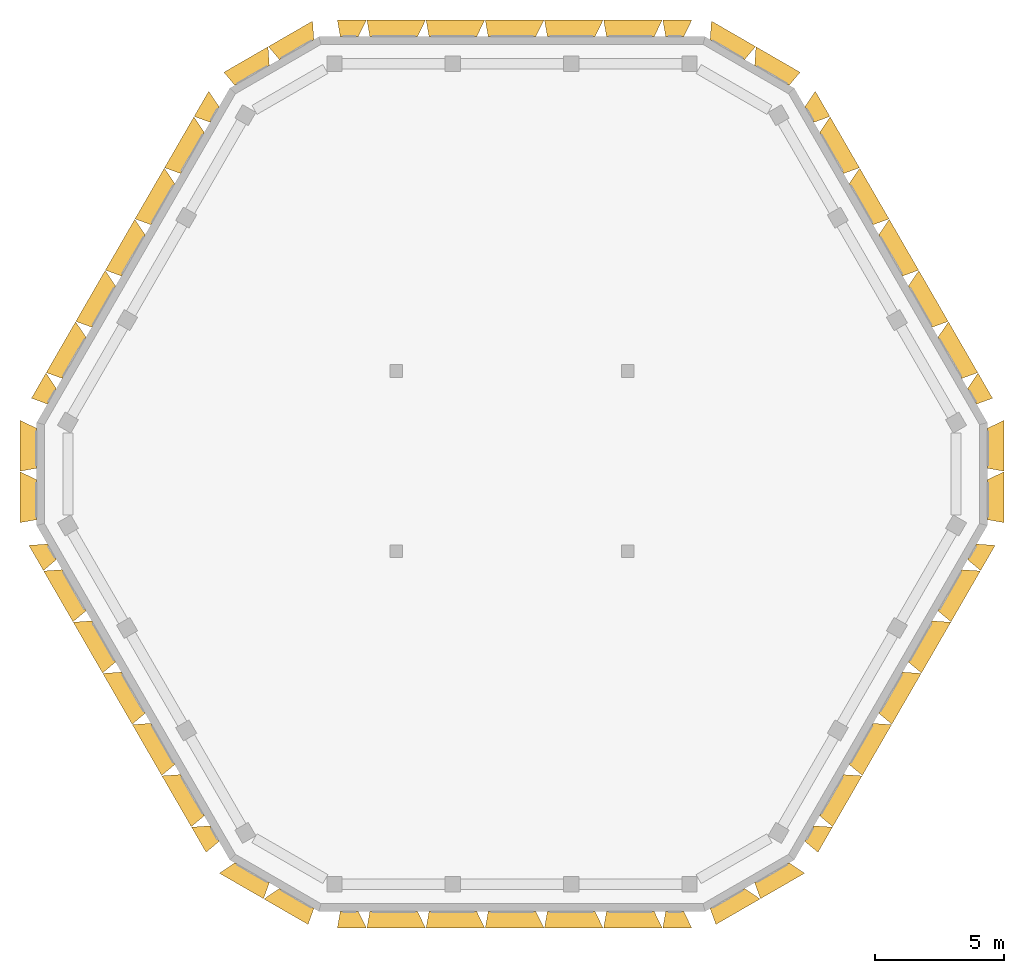
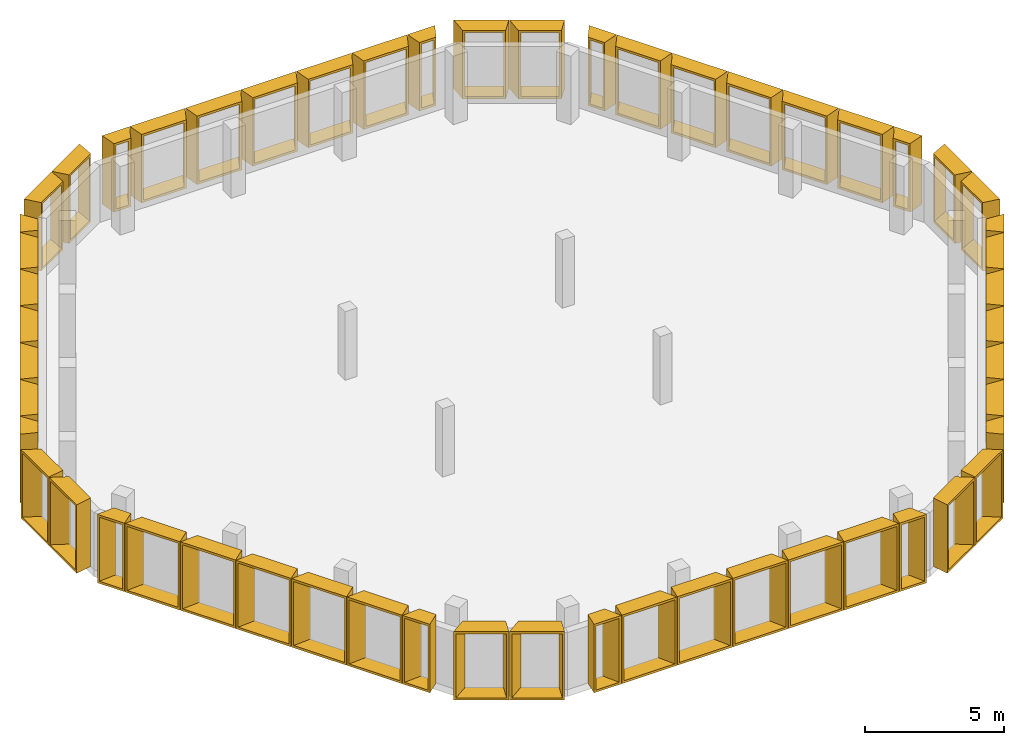
# One storey, part 3 of 3: 54 shading devices.
"""IFC4 building model written with IfcOpenShell, lengths in metres."""

from ifc_helpers import new_model, entity, si_unit, direction, frame, origin, place, context, subcontext, project, spatial, source, transform, mapped, material, type_object, type_shapes, element, save


model = new_model("IFC4")

# Units and contexts
model_context = context("Model", 3, precision=1e-05, world=origin(), true_north=direction((0.0, 1.0)))
body_context = subcontext(model_context, "Body", "Model", "MODEL_VIEW")
ifc_project = project(units=[si_unit("LENGTHUNIT", "METRE"), si_unit("AREAUNIT", "SQUARE_METRE"), si_unit("VOLUMEUNIT", "CUBIC_METRE"), si_unit("PLANEANGLEUNIT", "RADIAN"), si_unit("MASSUNIT", "GRAM", prefix="KILO")], contexts=[model_context])

# Site, building, storey
site_placement = place(None, origin())
site = spatial("IfcSite", under=ifc_project, at=site_placement, CompositionType="ELEMENT")
building_placement = place(site_placement, origin())
building = spatial("IfcBuilding", under=site, at=building_placement, Name="Beryl Residences", CompositionType="ELEMENT")
storey_placement = place(building_placement, frame((0.0, 0.0, 247.800048828125)))
storey = spatial("IfcBuildingStorey", under=building, at=storey_placement, Name="L77", CompositionType="ELEMENT", Elevation=247.800048828125)

# Shading devices
ifc_material_1 = material(Name="Aluminium pale anodised", Category="aluminium")
shading_device_type_1 = type_object("IfcShadingDeviceType", Name="FR115-65B OUTER SKIN frame 650 mm deep, splay 26/10 deg, 1150 x 3000 mm cell", PredefinedType="USERDEFINED", material=ifc_material_1)
cartesian_point_1 = entity("IfcCartesianPoint", [-0.34912109375, 0.0])
cartesian_point_2 = entity("IfcCartesianPoint", [-0.260009765625, 0.10009765625])
cartesian_point_3 = entity("IfcCartesianPoint", [-0.666015625, 0.0])
cartesian_point_4 = entity("IfcCartesianPoint", [-0.576904296875, 0.10009765625])
shared_shape_1 = source(origin(), body_context, "Body", "SweptSolid", [
    entity("IfcExtrudedAreaSolidTapered", entity("IfcArbitraryProfileDefWithVoids", "AREA", None, entity("IfcPolyline", [cartesian_point_1, entity("IfcCartesianPoint", [0.34912109375, 0.0]), entity("IfcCartesianPoint", [0.34912109375, 3.0]), entity("IfcCartesianPoint", [-0.34912109375, 3.0]), cartesian_point_1]), [entity("IfcPolyline", [cartesian_point_2, entity("IfcCartesianPoint", [0.267822265625, 0.10009765625]), entity("IfcCartesianPoint", [0.267822265625, 2.89990234375]), entity("IfcCartesianPoint", [-0.260009765625, 2.89990234375]), cartesian_point_2])]), entity("IfcAxis2Placement3D", entity("IfcCartesianPoint", [0.0, 0.0, 0.0]), entity("IfcDirection", [0.0, 1.0, 0.0]), entity("IfcDirection", [-1.0, 0.0, 0.0])), entity("IfcDirection", [0.0, 0.0, 1.0]), 0.64990234375, entity("IfcArbitraryProfileDefWithVoids", "AREA", None, entity("IfcPolyline", [cartesian_point_3, entity("IfcCartesianPoint", [0.463623046875, 0.0]), entity("IfcCartesianPoint", [0.463623046875, 3.0]), entity("IfcCartesianPoint", [-0.666015625, 3.0]), cartesian_point_3]), [entity("IfcPolyline", [cartesian_point_4, entity("IfcCartesianPoint", [0.38232421875, 0.10009765625]), entity("IfcCartesianPoint", [0.38232421875, 2.89990234375]), entity("IfcCartesianPoint", [-0.576904296875, 2.89990234375]), cartesian_point_4])])),
])
type_shapes(shading_device_type_1, [shared_shape_1])
for number, where, z_axis, x_axis, name in (
    (1, (6.324951171875, 17.0, 0.0), (0.0, 0.0, 1.0), (1.0, 0.0, 0.0), "FR115-65B frame L77 N 1"),
    (2, (-6.324951171875, 17.0, 0.0), (0.0, 0.0, 1.0), (1.0, 0.0, 0.0), "FR115-65B frame L77 N 7"),
    (3, (-11.56103515625, 13.97705078125, 0.0), (0.0, 0.0, 1.0), (0.5, 0.866025403784, 0.0), "FR115-65B frame L77 NW 1"),
    (4, (-17.885009765625, 3.02392578125, 0.0), (0.0, 0.0, 1.0), (0.5, 0.866025403784, 0.0), "FR115-65B frame L77 NW 7"),
    (5, (-17.885009765625, -3.02294921875, 0.0), (0.0, 0.0, 1.0), (-0.5, 0.866025403784, 0.0), "FR115-65B frame L77 SW 1"),
    (6, (-11.56103515625, -13.97607421875, 0.0), (0.0, 0.0, 1.0), (-0.5, 0.866025403784, 0.0), "FR115-65B frame L77 SW 7"),
):
    element("IfcShadingDevice", number, at=place(storey_placement, frame(where, z_axis=z_axis, x_axis=x_axis)), inside=storey, type_object=shading_device_type_1, Name=name, ObjectType="OUTER SKIN", PredefinedType="USERDEFINED", context=body_context, shape_type="MappedRepresentation", body=[
        mapped(shared_shape_1, transform((0.0, 0.0, 0.0))),
    ])
ifc_material_2 = material(Name="Aluminium pale anodised", Category="aluminium")
shading_device_type_2 = type_object("IfcShadingDeviceType", Name="FR115-65C OUTER SKIN frame 650 mm deep, splay 10/26 deg, 1150 x 3000 mm cell", PredefinedType="USERDEFINED", material=ifc_material_2)
cartesian_point_5 = entity("IfcCartesianPoint", [-0.34912109375, 0.0])
cartesian_point_6 = entity("IfcCartesianPoint", [-0.267822265625, 0.10009765625])
cartesian_point_7 = entity("IfcCartesianPoint", [-0.463623046875, 0.0])
cartesian_point_8 = entity("IfcCartesianPoint", [-0.38232421875, 0.10009765625])
shared_shape_2 = source(origin(), body_context, "Body", "SweptSolid", [
    entity("IfcExtrudedAreaSolidTapered", entity("IfcArbitraryProfileDefWithVoids", "AREA", None, entity("IfcPolyline", [cartesian_point_5, entity("IfcCartesianPoint", [0.34912109375, 0.0]), entity("IfcCartesianPoint", [0.34912109375, 3.0]), entity("IfcCartesianPoint", [-0.34912109375, 3.0]), cartesian_point_5]), [entity("IfcPolyline", [cartesian_point_6, entity("IfcCartesianPoint", [0.260009765625, 0.10009765625]), entity("IfcCartesianPoint", [0.260009765625, 2.89990234375]), entity("IfcCartesianPoint", [-0.267822265625, 2.89990234375]), cartesian_point_6])]), entity("IfcAxis2Placement3D", entity("IfcCartesianPoint", [0.0, 0.0, 0.0]), entity("IfcDirection", [0.0, 1.0, 0.0]), entity("IfcDirection", [-1.0, 0.0, 0.0])), entity("IfcDirection", [0.0, 0.0, 1.0]), 0.64990234375, entity("IfcArbitraryProfileDefWithVoids", "AREA", None, entity("IfcPolyline", [cartesian_point_7, entity("IfcCartesianPoint", [0.666015625, 0.0]), entity("IfcCartesianPoint", [0.666015625, 3.0]), entity("IfcCartesianPoint", [-0.463623046875, 3.0]), cartesian_point_7]), [entity("IfcPolyline", [cartesian_point_8, entity("IfcCartesianPoint", [0.576904296875, 0.10009765625]), entity("IfcCartesianPoint", [0.576904296875, 2.89990234375]), entity("IfcCartesianPoint", [-0.38232421875, 2.89990234375]), cartesian_point_8])])),
])
type_shapes(shading_device_type_2, [shared_shape_2])
for number, where, z_axis, x_axis, name in (
    (7, (-6.324951171875, -17.0, 0.0), (0.0, 0.0, 1.0), (-1.0, 0.0, 0.0), "FR115-65C frame L77 S 1"),
    (8, (6.324951171875, -17.0, 0.0), (0.0, 0.0, 1.0), (-1.0, 0.0, 0.0), "FR115-65C frame L77 S 7"),
    (9, (11.56103515625, -13.97705078125, 0.0), (0.0, 0.0, 1.0), (-0.5, -0.866025403784, 0.0), "FR115-65C frame L77 SE 1"),
    (10, (17.885009765625, -3.02392578125, 0.0), (0.0, 0.0, 1.0), (-0.5, -0.866025403784, 0.0), "FR115-65C frame L77 SE 7"),
    (11, (17.885009765625, 3.02294921875, 0.0), (0.0, 0.0, 1.0), (0.5, -0.866025403784, 0.0), "FR115-65C frame L77 NE 1"),
    (12, (11.56103515625, 13.97607421875, 0.0), (0.0, 0.0, 1.0), (0.5, -0.866025403784, 0.0), "FR115-65C frame L77 NE 7"),
):
    element("IfcShadingDevice", number, at=place(storey_placement, frame(where, z_axis=z_axis, x_axis=x_axis)), inside=storey, type_object=shading_device_type_2, Name=name, ObjectType="OUTER SKIN", PredefinedType="USERDEFINED", context=body_context, shape_type="MappedRepresentation", body=[
        mapped(shared_shape_2, transform((0.0, 0.0, 0.0))),
    ])
ifc_material_3 = material(Name="Aluminium pale anodised", Category="aluminium")
shading_device_type_3 = type_object("IfcShadingDeviceType", Name="FR200-65B OUTER SKIN frame 650 mm deep, splay 26/10 deg, 2000 x 3000 mm cell", PredefinedType="USERDEFINED", material=ifc_material_3)
cartesian_point_9 = entity("IfcCartesianPoint", [-0.77392578125, 0.0])
cartesian_point_10 = entity("IfcCartesianPoint", [-0.68505859375, 0.10009765625])
cartesian_point_11 = entity("IfcCartesianPoint", [-1.091064453125, 0.0])
cartesian_point_12 = entity("IfcCartesianPoint", [-1.001953125, 0.10009765625])
shared_shape_3 = source(origin(), body_context, "Body", "SweptSolid", [
    entity("IfcExtrudedAreaSolidTapered", entity("IfcArbitraryProfileDefWithVoids", "AREA", None, entity("IfcPolyline", [cartesian_point_9, entity("IfcCartesianPoint", [0.77392578125, 0.0]), entity("IfcCartesianPoint", [0.77392578125, 3.0]), entity("IfcCartesianPoint", [-0.77392578125, 3.0]), cartesian_point_9]), [entity("IfcPolyline", [cartesian_point_10, entity("IfcCartesianPoint", [0.69287109375, 0.10009765625]), entity("IfcCartesianPoint", [0.69287109375, 2.89990234375]), entity("IfcCartesianPoint", [-0.68505859375, 2.89990234375]), cartesian_point_10])]), entity("IfcAxis2Placement3D", entity("IfcCartesianPoint", [0.0, 0.0, 0.0]), entity("IfcDirection", [0.0, 1.0, 0.0]), entity("IfcDirection", [-1.0, 0.0, 0.0])), entity("IfcDirection", [0.0, 0.0, 1.0]), 0.64990234375, entity("IfcArbitraryProfileDefWithVoids", "AREA", None, entity("IfcPolyline", [cartesian_point_11, entity("IfcCartesianPoint", [0.888671875, 0.0]), entity("IfcCartesianPoint", [0.888671875, 3.0]), entity("IfcCartesianPoint", [-1.091064453125, 3.0]), cartesian_point_11]), [entity("IfcPolyline", [cartesian_point_12, entity("IfcCartesianPoint", [0.807373046875, 0.10009765625]), entity("IfcCartesianPoint", [0.807373046875, 2.89990234375]), entity("IfcCartesianPoint", [-1.001953125, 2.89990234375]), cartesian_point_12])])),
])
type_shapes(shading_device_type_3, [shared_shape_3])
for number, where, z_axis, x_axis, name in (
    (13, (-8.3720703125, 16.5, 0.0), (0.0, 0.0, 1.0), (0.866025403784, 0.5, 0.0), "FR200-65B frame L77 N-NW 1"),
    (14, (-10.10400390625, 15.5, 0.0), (0.0, 0.0, 1.0), (0.866025403784, 0.5, 0.0), "FR200-65B frame L77 N-NW 2"),
    (15, (-18.47509765625, 1.0, 0.0), (0.0, 0.0, 1.0), (0.0, 1.0, 0.0), "FR200-65B frame L77 NW-SW 1"),
    (16, (-18.47509765625, -1.0, 0.0), (0.0, 0.0, 1.0), (0.0, 1.0, 0.0), "FR200-65B frame L77 NW-SW 2"),
    (17, (-10.10400390625, -15.5, 0.0), (0.0, 0.0, 1.0), (-0.866025403784, 0.5, 0.0), "FR200-65B frame L77 SW-S 1"),
    (18, (-8.3720703125, -16.5, 0.0), (0.0, 0.0, 1.0), (-0.866025403784, 0.5, 0.0), "FR200-65B frame L77 SW-S 2"),
):
    element("IfcShadingDevice", number, at=place(storey_placement, frame(where, z_axis=z_axis, x_axis=x_axis)), inside=storey, type_object=shading_device_type_3, Name=name, ObjectType="OUTER SKIN", PredefinedType="USERDEFINED", context=body_context, shape_type="MappedRepresentation", body=[
        mapped(shared_shape_3, transform((0.0, 0.0, 0.0))),
    ])
ifc_material_4 = material(Name="Aluminium pale anodised", Category="aluminium")
shading_device_type_4 = type_object("IfcShadingDeviceType", Name="FR200-65C OUTER SKIN frame 650 mm deep, splay 10/26 deg, 2000 x 3000 mm cell", PredefinedType="USERDEFINED", material=ifc_material_4)
cartesian_point_13 = entity("IfcCartesianPoint", [-0.77392578125, 0.0])
cartesian_point_14 = entity("IfcCartesianPoint", [-0.69287109375, 0.10009765625])
cartesian_point_15 = entity("IfcCartesianPoint", [-0.888671875, 0.0])
cartesian_point_16 = entity("IfcCartesianPoint", [-0.807373046875, 0.10009765625])
shared_shape_4 = source(origin(), body_context, "Body", "SweptSolid", [
    entity("IfcExtrudedAreaSolidTapered", entity("IfcArbitraryProfileDefWithVoids", "AREA", None, entity("IfcPolyline", [cartesian_point_13, entity("IfcCartesianPoint", [0.77392578125, 0.0]), entity("IfcCartesianPoint", [0.77392578125, 3.0]), entity("IfcCartesianPoint", [-0.77392578125, 3.0]), cartesian_point_13]), [entity("IfcPolyline", [cartesian_point_14, entity("IfcCartesianPoint", [0.68505859375, 0.10009765625]), entity("IfcCartesianPoint", [0.68505859375, 2.89990234375]), entity("IfcCartesianPoint", [-0.69287109375, 2.89990234375]), cartesian_point_14])]), entity("IfcAxis2Placement3D", entity("IfcCartesianPoint", [0.0, 0.0, 0.0]), entity("IfcDirection", [0.0, 1.0, 0.0]), entity("IfcDirection", [-1.0, 0.0, 0.0])), entity("IfcDirection", [0.0, 0.0, 1.0]), 0.64990234375, entity("IfcArbitraryProfileDefWithVoids", "AREA", None, entity("IfcPolyline", [cartesian_point_15, entity("IfcCartesianPoint", [1.091064453125, 0.0]), entity("IfcCartesianPoint", [1.091064453125, 3.0]), entity("IfcCartesianPoint", [-0.888671875, 3.0]), cartesian_point_15]), [entity("IfcPolyline", [cartesian_point_16, entity("IfcCartesianPoint", [1.001953125, 0.10009765625]), entity("IfcCartesianPoint", [1.001953125, 2.89990234375]), entity("IfcCartesianPoint", [-0.807373046875, 2.89990234375]), cartesian_point_16])])),
])
type_shapes(shading_device_type_4, [shared_shape_4])
for number, where, z_axis, x_axis, name in (
    (19, (8.3720703125, -16.5, 0.0), (0.0, 0.0, 1.0), (-0.866025403784, -0.5, 0.0), "FR200-65C frame L77 S-SE 1"),
    (20, (10.10400390625, -15.5, 0.0), (0.0, 0.0, 1.0), (-0.866025403784, -0.5, 0.0), "FR200-65C frame L77 S-SE 2"),
    (21, (18.47509765625, -1.0, 0.0), (0.0, 0.0, 1.0), (0.0, -1.0, 0.0), "FR200-65C frame L77 SE-NE 1"),
    (22, (18.47509765625, 1.0, 0.0), (0.0, 0.0, 1.0), (0.0, -1.0, 0.0), "FR200-65C frame L77 SE-NE 2"),
    (23, (10.10400390625, 15.5, 0.0), (0.0, 0.0, 1.0), (0.866025403784, -0.5, 0.0), "FR200-65C frame L77 NE-N 1"),
    (24, (8.3720703125, 16.5, 0.0), (0.0, 0.0, 1.0), (0.866025403784, -0.5, 0.0), "FR200-65C frame L77 NE-N 2"),
):
    element("IfcShadingDevice", number, at=place(storey_placement, frame(where, z_axis=z_axis, x_axis=x_axis)), inside=storey, type_object=shading_device_type_4, Name=name, ObjectType="OUTER SKIN", PredefinedType="USERDEFINED", context=body_context, shape_type="MappedRepresentation", body=[
        mapped(shared_shape_4, transform((0.0, 0.0, 0.0))),
    ])
ifc_material_5 = material(Name="Aluminium pale anodised", Category="aluminium")
shading_device_type_5 = type_object("IfcShadingDeviceType", Name="FR230-65B OUTER SKIN frame 650 mm deep, splay 26/10 deg, 2300 x 3000 mm cell", PredefinedType="USERDEFINED", material=ifc_material_5)
cartesian_point_17 = entity("IfcCartesianPoint", [-0.924072265625, 0.0])
cartesian_point_18 = entity("IfcCartesianPoint", [-0.8349609375, 0.10009765625])
cartesian_point_19 = entity("IfcCartesianPoint", [-1.240966796875, 0.0])
cartesian_point_20 = entity("IfcCartesianPoint", [-1.152099609375, 0.10009765625])
shared_shape_5 = source(origin(), body_context, "Body", "SweptSolid", [
    entity("IfcExtrudedAreaSolidTapered", entity("IfcArbitraryProfileDefWithVoids", "AREA", None, entity("IfcPolyline", [cartesian_point_17, entity("IfcCartesianPoint", [0.924072265625, 0.0]), entity("IfcCartesianPoint", [0.924072265625, 3.0]), entity("IfcCartesianPoint", [-0.924072265625, 3.0]), cartesian_point_17]), [entity("IfcPolyline", [cartesian_point_18, entity("IfcCartesianPoint", [0.8427734375, 0.10009765625]), entity("IfcCartesianPoint", [0.8427734375, 2.89990234375]), entity("IfcCartesianPoint", [-0.8349609375, 2.89990234375]), cartesian_point_18])]), entity("IfcAxis2Placement3D", entity("IfcCartesianPoint", [0.0, 0.0, 0.0]), entity("IfcDirection", [0.0, 1.0, 0.0]), entity("IfcDirection", [-1.0, 0.0, 0.0])), entity("IfcDirection", [0.0, 0.0, 1.0]), 0.64990234375, entity("IfcArbitraryProfileDefWithVoids", "AREA", None, entity("IfcPolyline", [cartesian_point_19, entity("IfcCartesianPoint", [1.03857421875, 0.0]), entity("IfcCartesianPoint", [1.03857421875, 3.0]), entity("IfcCartesianPoint", [-1.240966796875, 3.0]), cartesian_point_19]), [entity("IfcPolyline", [cartesian_point_20, entity("IfcCartesianPoint", [0.957275390625, 0.10009765625]), entity("IfcCartesianPoint", [0.957275390625, 2.89990234375]), entity("IfcCartesianPoint", [-1.152099609375, 2.89990234375]), cartesian_point_20])])),
])
type_shapes(shading_device_type_5, [shared_shape_5])
for number, where, z_axis, x_axis, name in (
    (25, (4.60009765625, 17.0, 0.0), (0.0, 0.0, 1.0), (1.0, 0.0, 0.0), "FR230-65B frame L77 N 2"),
    (26, (2.300048828125, 17.0, 0.0), (0.0, 0.0, 1.0), (1.0, 0.0, 0.0), "FR230-65B frame L77 N 3"),
    (27, (0.0, 17.0, 0.0), (0.0, 0.0, 1.0), (1.0, 0.0, 0.0), "FR230-65B frame L77 N 4"),
    (28, (-2.300048828125, 17.0, 0.0), (0.0, 0.0, 1.0), (1.0, 0.0, 0.0), "FR230-65B frame L77 N 5"),
    (29, (-4.60009765625, 17.0, 0.0), (0.0, 0.0, 1.0), (1.0, 0.0, 0.0), "FR230-65B frame L77 N 6"),
    (30, (-12.423095703125, 12.48291015625, 0.0), (0.0, 0.0, 1.0), (0.5, 0.866025403784, 0.0), "FR230-65B frame L77 NW 2"),
    (31, (-13.572998046875, 10.491943359375, 0.0), (0.0, 0.0, 1.0), (0.5, 0.866025403784, 0.0), "FR230-65B frame L77 NW 3"),
    (32, (-14.722900390625, 8.5, 0.0), (0.0, 0.0, 1.0), (0.5, 0.866025403784, 0.0), "FR230-65B frame L77 NW 4"),
    (33, (-15.873046875, 6.509033203125, 0.0), (0.0, 0.0, 1.0), (0.5, 0.866025403784, 0.0), "FR230-65B frame L77 NW 5"),
    (34, (-17.02197265625, 4.51806640625, 0.0), (0.0, 0.0, 1.0), (0.5, 0.866025403784, 0.0), "FR230-65B frame L77 NW 6"),
    (35, (-17.02294921875, -4.51708984375, 0.0), (0.0, 0.0, 1.0), (-0.5, 0.866025403784, 0.0), "FR230-65B frame L77 SW 2"),
    (36, (-15.873046875, -6.508056640625, 0.0), (0.0, 0.0, 1.0), (-0.5, 0.866025403784, 0.0), "FR230-65B frame L77 SW 3"),
    (37, (-14.722900390625, -8.5, 0.0), (0.0, 0.0, 1.0), (-0.5, 0.866025403784, 0.0), "FR230-65B frame L77 SW 4"),
    (38, (-13.572998046875, -10.490966796875, 0.0), (0.0, 0.0, 1.0), (-0.5, 0.866025403784, 0.0), "FR230-65B frame L77 SW 5"),
    (39, (-12.424072265625, -12.48193359375, 0.0), (0.0, 0.0, 1.0), (-0.5, 0.866025403784, 0.0), "FR230-65B frame L77 SW 6"),
):
    element("IfcShadingDevice", number, at=place(storey_placement, frame(where, z_axis=z_axis, x_axis=x_axis)), inside=storey, type_object=shading_device_type_5, Name=name, ObjectType="OUTER SKIN", PredefinedType="USERDEFINED", context=body_context, shape_type="MappedRepresentation", body=[
        mapped(shared_shape_5, transform((0.0, 0.0, 0.0))),
    ])
ifc_material_6 = material(Name="Aluminium pale anodised", Category="aluminium")
shading_device_type_6 = type_object("IfcShadingDeviceType", Name="FR230-65C OUTER SKIN frame 650 mm deep, splay 10/26 deg, 2300 x 3000 mm cell", PredefinedType="USERDEFINED", material=ifc_material_6)
cartesian_point_21 = entity("IfcCartesianPoint", [-0.924072265625, 0.0])
cartesian_point_22 = entity("IfcCartesianPoint", [-0.8427734375, 0.10009765625])
cartesian_point_23 = entity("IfcCartesianPoint", [-1.03857421875, 0.0])
cartesian_point_24 = entity("IfcCartesianPoint", [-0.957275390625, 0.10009765625])
shared_shape_6 = source(origin(), body_context, "Body", "SweptSolid", [
    entity("IfcExtrudedAreaSolidTapered", entity("IfcArbitraryProfileDefWithVoids", "AREA", None, entity("IfcPolyline", [cartesian_point_21, entity("IfcCartesianPoint", [0.924072265625, 0.0]), entity("IfcCartesianPoint", [0.924072265625, 3.0]), entity("IfcCartesianPoint", [-0.924072265625, 3.0]), cartesian_point_21]), [entity("IfcPolyline", [cartesian_point_22, entity("IfcCartesianPoint", [0.8349609375, 0.10009765625]), entity("IfcCartesianPoint", [0.8349609375, 2.89990234375]), entity("IfcCartesianPoint", [-0.8427734375, 2.89990234375]), cartesian_point_22])]), entity("IfcAxis2Placement3D", entity("IfcCartesianPoint", [0.0, 0.0, 0.0]), entity("IfcDirection", [0.0, 1.0, 0.0]), entity("IfcDirection", [-1.0, 0.0, 0.0])), entity("IfcDirection", [0.0, 0.0, 1.0]), 0.64990234375, entity("IfcArbitraryProfileDefWithVoids", "AREA", None, entity("IfcPolyline", [cartesian_point_23, entity("IfcCartesianPoint", [1.240966796875, 0.0]), entity("IfcCartesianPoint", [1.240966796875, 3.0]), entity("IfcCartesianPoint", [-1.03857421875, 3.0]), cartesian_point_23]), [entity("IfcPolyline", [cartesian_point_24, entity("IfcCartesianPoint", [1.152099609375, 0.10009765625]), entity("IfcCartesianPoint", [1.152099609375, 2.89990234375]), entity("IfcCartesianPoint", [-0.957275390625, 2.89990234375]), cartesian_point_24])])),
])
type_shapes(shading_device_type_6, [shared_shape_6])
for number, where, z_axis, x_axis, name in (
    (40, (-4.60009765625, -17.0, 0.0), (0.0, 0.0, 1.0), (-1.0, 0.0, 0.0), "FR230-65C frame L77 S 2"),
    (41, (-2.300048828125, -17.0, 0.0), (0.0, 0.0, 1.0), (-1.0, 0.0, 0.0), "FR230-65C frame L77 S 3"),
    (42, (0.0, -17.0, 0.0), (0.0, 0.0, 1.0), (-1.0, 0.0, 0.0), "FR230-65C frame L77 S 4"),
    (43, (2.300048828125, -17.0, 0.0), (0.0, 0.0, 1.0), (-1.0, 0.0, 0.0), "FR230-65C frame L77 S 5"),
    (44, (4.60009765625, -17.0, 0.0), (0.0, 0.0, 1.0), (-1.0, 0.0, 0.0), "FR230-65C frame L77 S 6"),
    (45, (12.423095703125, -12.48291015625, 0.0), (0.0, 0.0, 1.0), (-0.5, -0.866025403784, 0.0), "FR230-65C frame L77 SE 2"),
    (46, (13.572998046875, -10.491943359375, 0.0), (0.0, 0.0, 1.0), (-0.5, -0.866025403784, 0.0), "FR230-65C frame L77 SE 3"),
    (47, (14.722900390625, -8.5, 0.0), (0.0, 0.0, 1.0), (-0.5, -0.866025403784, 0.0), "FR230-65C frame L77 SE 4"),
    (48, (15.873046875, -6.509033203125, 0.0), (0.0, 0.0, 1.0), (-0.5, -0.866025403784, 0.0), "FR230-65C frame L77 SE 5"),
    (49, (17.02197265625, -4.51806640625, 0.0), (0.0, 0.0, 1.0), (-0.5, -0.866025403784, 0.0), "FR230-65C frame L77 SE 6"),
    (50, (17.02294921875, 4.51708984375, 0.0), (0.0, 0.0, 1.0), (0.5, -0.866025403784, 0.0), "FR230-65C frame L77 NE 2"),
    (51, (15.873046875, 6.508056640625, 0.0), (0.0, 0.0, 1.0), (0.5, -0.866025403784, 0.0), "FR230-65C frame L77 NE 3"),
    (52, (14.722900390625, 8.5, 0.0), (0.0, 0.0, 1.0), (0.5, -0.866025403784, 0.0), "FR230-65C frame L77 NE 4"),
    (53, (13.572998046875, 10.490966796875, 0.0), (0.0, 0.0, 1.0), (0.5, -0.866025403784, 0.0), "FR230-65C frame L77 NE 5"),
    (54, (12.424072265625, 12.48193359375, 0.0), (0.0, 0.0, 1.0), (0.5, -0.866025403784, 0.0), "FR230-65C frame L77 NE 6"),
):
    element("IfcShadingDevice", number, at=place(storey_placement, frame(where, z_axis=z_axis, x_axis=x_axis)), inside=storey, type_object=shading_device_type_6, Name=name, ObjectType="OUTER SKIN", PredefinedType="USERDEFINED", context=body_context, shape_type="MappedRepresentation", body=[
        mapped(shared_shape_6, transform((0.0, 0.0, 0.0))),
    ])

save(model, "model.ifc")
